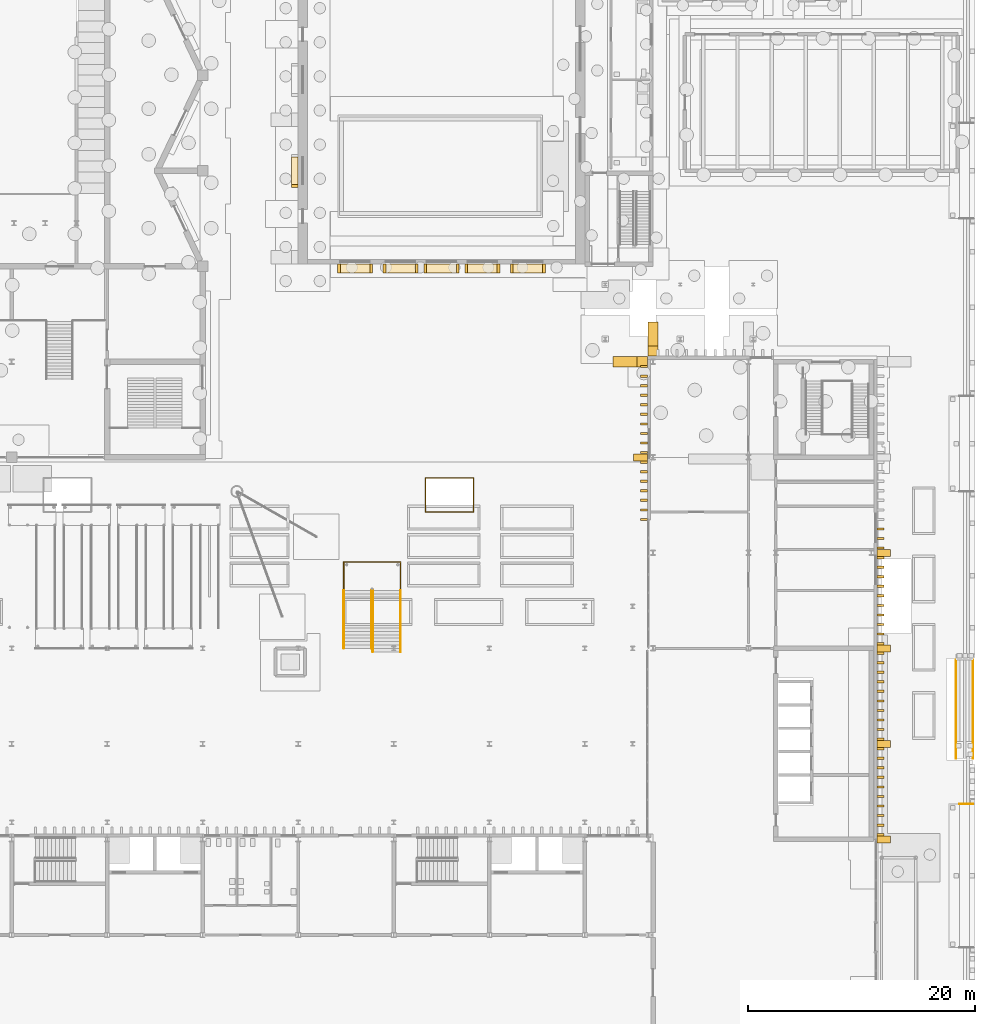
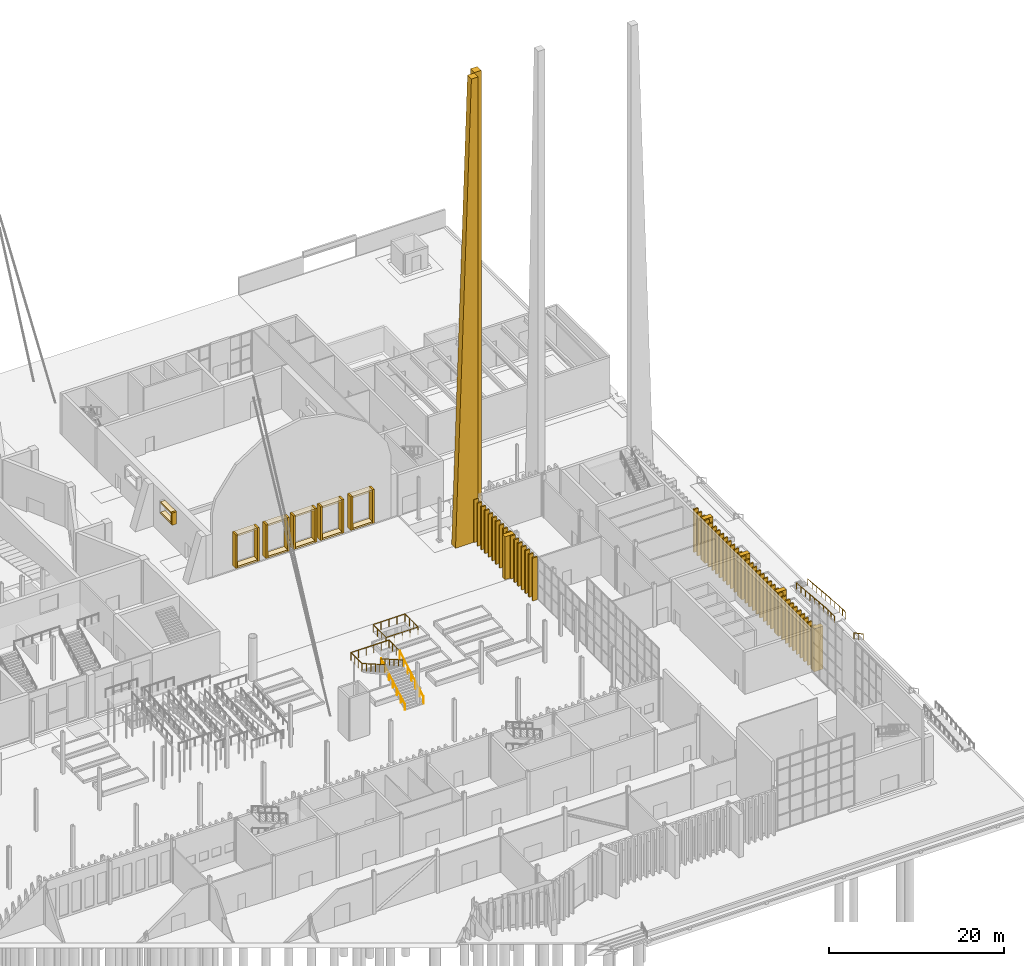
# One storey, part 101 of 108: 80 coverings, 9 railings.
"""IFC4 building model written with IfcOpenShell, lengths in metres."""

import ifcopenshell
import ifcopenshell.guid

model = None  # the IFC model being written
_history = None  # IfcOwnerHistory: only IFC2X3 demands one
_inside = {}  # id of a spatial element -> (the spatial element, [elements in it])
_under = {}  # id of a project, library or spatial element -> (it, [spatial elements below it])
_declared = {}  # id of a project -> (the project, [libraries it declares])
_typed = {}  # id of a type object -> (the type object, [elements of that type])
_made_of = {}  # id of a material, layer set ... -> (it, [elements and type objects made of it])


def new_model(schema):
    """Start an empty IFC model of exactly this schema.

    Asked for "IFC4X3", IfcOpenShell would pick the latest addendum, in which some entities
    have other attributes; the version numbers below select the first issue.
    IFC2X3 requires an IfcOwnerHistory on every rooted entity: one is made here for all.
    """
    global model, _history
    if schema == "IFC4X3":
        model = ifcopenshell.file(schema_version=(4, 3, 0, 0))
    else:
        model = ifcopenshell.file(schema=schema)
    _inside.clear()
    _under.clear()
    _declared.clear()
    _typed.clear()
    _made_of.clear()
    _history = None
    if model.schema == "IFC2X3":
        org = make("IfcOrganization", Name="unknown")
        user = make(
            "IfcPersonAndOrganization",
            ThePerson=make("IfcPerson", FamilyName="unknown"),
            TheOrganization=org,
        )
        app = make(
            "IfcApplication",
            ApplicationDeveloper=org,
            Version="unknown",
            ApplicationFullName="unknown",
            ApplicationIdentifier="unknown",
        )
        _history = make(
            "IfcOwnerHistory",
            OwningUser=user,
            OwningApplication=app,
            ChangeAction="ADDED",
            CreationDate=0,
        )
    return model


def make(cls, **values):
    """One entity of the class cls with the attributes given. An attribute that is None is left unset."""
    return model.create_entity(
        cls, **{name: value for name, value in values.items() if value is not None}
    )


def rooted(cls, **values):
    """An entity with a GlobalId (a new one), such as an element, a storey or a relation."""
    return make(cls, GlobalId=ifcopenshell.guid.new(), OwnerHistory=_history, **values)


def si_unit(unit_type, name, prefix=None):
    """IfcSIUnit, for example si_unit("LENGTHUNIT", "METRE", prefix="MILLI")."""
    return make("IfcSIUnit", UnitType=unit_type, Prefix=prefix, Name=name)


def assignment(units):
    """IfcUnitAssignment: the units of a project."""
    return None if units is None else make("IfcUnitAssignment", Units=units)


def point(xyz):
    """IfcCartesianPoint."""
    return None if xyz is None else make("IfcCartesianPoint", Coordinates=xyz)


def direction(xyz):
    """IfcDirection."""
    return None if xyz is None else make("IfcDirection", DirectionRatios=xyz)


def frame(location, z_axis=None, x_axis=None):
    """IfcAxis2Placement3D, a coordinate frame: its origin and axes. An axis left out is left unset."""
    return make(
        "IfcAxis2Placement3D",
        Location=point(location),
        Axis=direction(z_axis),
        RefDirection=direction(x_axis),
    )


def frame_2d(location, x_axis=None):
    """IfcAxis2Placement2D, a coordinate frame in the plane: its origin and x axis."""
    return make(
        "IfcAxis2Placement2D", Location=point(location), RefDirection=direction(x_axis)
    )


def origin():
    """The frame at (0, 0, 0) with its axes left unset."""
    return frame((0.0, 0.0, 0.0))


def origin_2d():
    """The frame at (0, 0) in the plane with its x axis left unset."""
    return frame_2d((0.0, 0.0))


def place(relative_to, where):
    """IfcLocalPlacement: puts the frame where relative to a parent placement (None: the world)."""
    return make(
        "IfcLocalPlacement", PlacementRelTo=relative_to, RelativePlacement=where
    )


def context(
    kind, dimensions, precision=None, world=None, true_north=None, identifier=None
):
    """IfcGeometricRepresentationContext, for example the 3D "Model" context."""
    return make(
        "IfcGeometricRepresentationContext",
        ContextIdentifier=identifier,
        ContextType=kind,
        CoordinateSpaceDimension=dimensions,
        Precision=precision,
        WorldCoordinateSystem=world,
        TrueNorth=true_north,
    )


def subcontext(parent, identifier, kind, view, scale=None):
    """IfcGeometricRepresentationSubContext, for example "Body" below "Model"."""
    return make(
        "IfcGeometricRepresentationSubContext",
        ContextIdentifier=identifier,
        ContextType=kind,
        ParentContext=parent,
        TargetScale=scale,
        TargetView=view,
    )


def project(units=None, contexts=None):
    """IfcProject with its units and contexts."""
    return rooted(
        "IfcProject",
        Name="project",
        RepresentationContexts=contexts,
        UnitsInContext=assignment(units),
    )


def spatial(cls, under=None, at=None, **own):
    """A site, building, storey or space (cls), placed at a placement, below another one or the project."""
    s = rooted(cls, ObjectPlacement=at, **own)
    if under is not None:
        _under.setdefault(under.id(), (under, []))[1].append(s)
    return s


def polyline(points):
    """IfcPolyline through the points."""
    return make("IfcPolyline", Points=[point(p) for p in points])


def profile(cls, at=None, kind="AREA", **sizes):
    """A parametric profile (cls). Its sizes go by their IFC names, for example OverallWidth=200.0."""
    return make(cls, ProfileType=kind, Position=at, **sizes)


def rectangle(**sizes):
    """IfcRectangleProfileDef."""
    return profile("IfcRectangleProfileDef", **sizes)


def circle(**sizes):
    """IfcCircleProfileDef."""
    return profile("IfcCircleProfileDef", **sizes)


def outline(outer, holes=None, kind="AREA"):
    """IfcArbitraryClosedProfileDef: a profile drawn as a closed curve; with holes, ...WithVoids."""
    if holes is None:
        return make("IfcArbitraryClosedProfileDef", ProfileType=kind, OuterCurve=outer)
    return make(
        "IfcArbitraryProfileDefWithVoids",
        ProfileType=kind,
        OuterCurve=outer,
        InnerCurves=holes,
    )


def extrude(swept, where, along, depth):
    """IfcExtrudedAreaSolid: the profile swept, set in the frame where, extruded along a direction by depth."""
    return make(
        "IfcExtrudedAreaSolid",
        SweptArea=swept,
        Position=where,
        ExtrudedDirection=direction(along),
        Depth=depth,
    )


def shape(context_of_items, identifier, shape_type, items):
    """IfcShapeRepresentation: the items that make up one representation, for example the "Body"."""
    return make(
        "IfcShapeRepresentation",
        ContextOfItems=context_of_items,
        RepresentationIdentifier=identifier,
        RepresentationType=shape_type,
        Items=items,
    )


def material(Name=None, Category=None):
    """IfcMaterial."""
    return make("IfcMaterial", Name=Name, Category=Category)


def made_of(thing, what):
    """Note that an element or type object is made of a material, layer set ...; save() writes the relation."""
    if what is not None:
        _made_of.setdefault(what.id(), (what, []))[1].append(thing)
    return thing


def type_object(cls, material=None, **own):
    """A type object (cls), such as IfcWallType, which elements share."""
    return made_of(rooted(cls, **own), material)


def element(
    cls,
    number,
    at=None,
    inside=None,
    cuts=None,
    type_object=None,
    material=None,
    context=None,
    identifier="Body",
    shape_type=None,
    held_by="IfcProductDefinitionShape",
    body=None,
    shapes=None,
    **own,
):
    """One element of the class cls, such as IfcWall. Its Tag is "e" and its number.

    at: its placement. inside: the storey or other place that contains it. cuts: it is an
    opening in that element (IfcRelVoidsElement). A single representation is given by context,
    identifier, shape_type and body (its items); several are given by shapes. held_by: the class
    of the entity that holds the representations. save() writes the other relations.
    """
    e = rooted(cls, Tag="e%d" % number, ObjectPlacement=at, **own)
    if body is not None:
        shapes = [shape(context, identifier, shape_type, body)]
    if shapes is not None:
        e.Representation = make(held_by, Representations=shapes)
    if inside is not None:
        _inside.setdefault(inside.id(), (inside, []))[1].append(e)
    if cuts is not None:
        rooted(
            "IfcRelVoidsElement", RelatingBuildingElement=cuts, RelatedOpeningElement=e
        )
    if type_object is not None:
        _typed.setdefault(type_object.id(), (type_object, []))[1].append(e)
    return made_of(e, material)


def aggregate(whole, parts):
    """IfcRelAggregates: a whole, such as a stair, and the parts it consists of."""
    return rooted("IfcRelAggregates", RelatingObject=whole, RelatedObjects=parts)


def save(model, path):
    """Write the relations noted so far, then the file.

    IfcRelAggregates (storeys below a building ...), IfcRelContainedInSpatialStructure (elements
    in a storey), IfcRelDefinesByType, IfcRelAssociatesMaterial and IfcRelDeclares: one each for
    every whole, place, type object, material and project.
    """
    for whole, parts in _under.values():
        aggregate(whole, parts)
    for where, things in _inside.values():
        rooted(
            "IfcRelContainedInSpatialStructure",
            RelatedElements=things,
            RelatingStructure=where,
        )
    for kind, things in _typed.values():
        rooted("IfcRelDefinesByType", RelatedObjects=things, RelatingType=kind)
    for what, things in _made_of.values():
        rooted("IfcRelAssociatesMaterial", RelatedObjects=things, RelatingMaterial=what)
    for by, libraries in _declared.values():
        rooted("IfcRelDeclares", RelatingContext=by, RelatedDefinitions=libraries)
    model.write(path)


model = new_model("IFC4")

# Units and contexts
model_context = context("Model", 3, precision=1e-05, world=origin(), true_north=direction((0.0, 1.0)))
body_context = subcontext(model_context, "Body", "Model", "MODEL_VIEW")
ifc_project = project(units=[si_unit("LENGTHUNIT", "METRE"), si_unit("AREAUNIT", "SQUARE_METRE"), si_unit("VOLUMEUNIT", "CUBIC_METRE"), si_unit("PLANEANGLEUNIT", "RADIAN"), si_unit("MASSUNIT", "GRAM", prefix="KILO")], contexts=[model_context])

# Site, building, storey
site_placement = place(None, origin())
site = spatial("IfcSite", under=ifc_project, at=site_placement, CompositionType="ELEMENT")
building_placement = place(site_placement, origin())
building = spatial("IfcBuilding", under=site, at=building_placement, Name="Cresset Court Congress Hotel", CompositionType="ELEMENT")
storey_placement = place(building_placement, origin())
storey = spatial("IfcBuildingStorey", under=building, at=storey_placement, Name="L00", CompositionType="ELEMENT", Elevation=0.0)

# Railings
ifc_material_1 = material(Name="Galvanised steel", Category="steel")
railing_type_1 = type_object("IfcRailingType", Name="Guard 1100 steel balusters", PredefinedType="GUARDRAIL", material=ifc_material_1)
railing_1_placement = place(storey_placement, frame((137.199951171875, 54.0, 0.0)))
element("IfcRailing", 1, at=railing_1_placement, inside=storey, type_object=railing_type_1, Name="Well guard 03", PredefinedType="GUARDRAIL", context=body_context, shape_type="SweptSolid", body=[
    extrude(circle(Radius=0.02490234375, at=origin_2d()), frame((0.0, 0.0, 1.0751953125), z_axis=(1.0, 0.0, 0.0), x_axis=(0.0, 1.0, 0.0)), (0.0, 0.0, 1.0), 4.199951171875),
    extrude(circle(Radius=0.02490234375, at=origin_2d()), frame((4.199951171875, 0.0, 1.0751953125), z_axis=(0.0, 1.0, 0.0), x_axis=(-1.0, 0.0, 0.0)), (0.0, 0.0, 1.0), 3.0),
    extrude(circle(Radius=0.02490234375, at=origin_2d()), frame((4.199951171875, 3.0, 1.0751953125), z_axis=(-1.0, 0.0, 0.0), x_axis=(0.0, -1.0, 0.0)), (0.0, 0.0, 1.0), 4.199951171875),
    extrude(circle(Radius=0.02490234375, at=origin_2d()), frame((0.0, 3.0, 1.0751953125), z_axis=(0.0, -1.0, 0.0), x_axis=(1.0, 0.0, 0.0)), (0.0, 0.0, 1.0), 2.93994140625),
    extrude(circle(Radius=0.02001953125, at=origin_2d()), origin(), (0.0, 0.0, 1.0), 1.050048828125),
    extrude(circle(Radius=0.02001953125, at=origin_2d()), frame((1.050048828125, 0.0, 0.0)), (0.0, 0.0, 1.0), 1.050048828125),
    extrude(circle(Radius=0.02001953125, at=origin_2d()), frame((2.10009765625, 0.0, 0.0)), (0.0, 0.0, 1.0), 1.050048828125),
    extrude(circle(Radius=0.02001953125, at=origin_2d()), frame((3.14990234375, 0.0, 0.0)), (0.0, 0.0, 1.0), 1.050048828125),
    extrude(circle(Radius=0.02001953125, at=origin_2d()), frame((4.199951171875, 0.0, 0.0)), (0.0, 0.0, 1.0), 1.050048828125),
    extrude(circle(Radius=0.02001953125, at=origin_2d()), frame((4.199951171875, 1.0, 0.0)), (0.0, 0.0, 1.0), 1.050048828125),
    extrude(circle(Radius=0.02001953125, at=origin_2d()), frame((4.199951171875, 2.0, 0.0)), (0.0, 0.0, 1.0), 1.050048828125),
    extrude(circle(Radius=0.02001953125, at=origin_2d()), frame((4.199951171875, 3.0, 0.0)), (0.0, 0.0, 1.0), 1.050048828125),
    extrude(circle(Radius=0.02001953125, at=origin_2d()), frame((3.14990234375, 3.0, 0.0)), (0.0, 0.0, 1.0), 1.050048828125),
    extrude(circle(Radius=0.02001953125, at=origin_2d()), frame((2.10009765625, 3.0, 0.0)), (0.0, 0.0, 1.0), 1.050048828125),
    extrude(circle(Radius=0.02001953125, at=origin_2d()), frame((1.050048828125, 3.0, 0.0)), (0.0, 0.0, 1.0), 1.050048828125),
    extrude(circle(Radius=0.02001953125, at=origin_2d()), frame((0.0, 3.0, 0.0)), (0.0, 0.0, 1.0), 1.050048828125),
    extrude(circle(Radius=0.02001953125, at=origin_2d()), frame((0.0, 2.02001953125, 0.0)), (0.0, 0.0, 1.0), 1.050048828125),
    extrude(circle(Radius=0.02001953125, at=origin_2d()), frame((0.0, 1.0400390625, 0.0)), (0.0, 0.0, 1.0), 1.050048828125),
    extrude(circle(Radius=0.02001953125, at=origin_2d()), frame((0.0, 0.06005859375, 0.0)), (0.0, 0.0, 1.0), 1.050048828125),
])
railing_2_placement = place(storey_placement, frame((130.0, 47.10009765625, 3.0810546875)))
element("IfcRailing", 2, at=railing_2_placement, inside=storey, type_object=railing_type_1, Name="Stair guard D03", PredefinedType="GUARDRAIL", context=body_context, shape_type="SweptSolid", body=[
    extrude(circle(Radius=0.02490234375, at=origin_2d()), frame((0.0, 0.0, 1.0751953125), z_axis=(0.0, 1.0, 0.0), x_axis=(-1.0, 0.0, 0.0)), (0.0, 0.0, 1.0), 2.5),
    extrude(circle(Radius=0.02490234375, at=origin_2d()), frame((0.0, 2.5, 1.0751953125), z_axis=(1.0, 0.0, 0.0), x_axis=(0.0, 1.0, 0.0)), (0.0, 0.0, 1.0), 5.0),
    extrude(circle(Radius=0.02490234375, at=origin_2d()), frame((5.0, 2.5, 1.0751953125), z_axis=(0.0, -1.0, 0.0), x_axis=(1.0, 0.0, 0.0)), (0.0, 0.0, 1.0), 2.5),
    extrude(circle(Radius=0.02001953125, at=origin_2d()), origin(), (0.0, 0.0, 1.0), 1.050048828125),
    extrude(circle(Radius=0.02001953125, at=origin_2d()), frame((0.0, 0.833251953125, 0.0)), (0.0, 0.0, 1.0), 1.050048828125),
    extrude(circle(Radius=0.02001953125, at=origin_2d()), frame((0.0, 1.666748046875, 0.0)), (0.0, 0.0, 1.0), 1.050048828125),
    extrude(circle(Radius=0.02001953125, at=origin_2d()), frame((0.0, 2.5, 0.0)), (0.0, 0.0, 1.0), 1.050048828125),
    extrude(circle(Radius=0.02001953125, at=origin_2d()), frame((1.0, 2.5, 0.0)), (0.0, 0.0, 1.0), 1.050048828125),
    extrude(circle(Radius=0.02001953125, at=origin_2d()), frame((2.0, 2.5, 0.0)), (0.0, 0.0, 1.0), 1.050048828125),
    extrude(circle(Radius=0.02001953125, at=origin_2d()), frame((3.0, 2.5, 0.0)), (0.0, 0.0, 1.0), 1.050048828125),
    extrude(circle(Radius=0.02001953125, at=origin_2d()), frame((4.0, 2.5, 0.0)), (0.0, 0.0, 1.0), 1.050048828125),
    extrude(circle(Radius=0.02001953125, at=origin_2d()), frame((5.0, 2.5, 0.0)), (0.0, 0.0, 1.0), 1.050048828125),
    extrude(circle(Radius=0.02001953125, at=origin_2d()), frame((5.0, 1.666748046875, 0.0)), (0.0, 0.0, 1.0), 1.050048828125),
    extrude(circle(Radius=0.02001953125, at=origin_2d()), frame((5.0, 0.833251953125, 0.0)), (0.0, 0.0, 1.0), 1.050048828125),
    extrude(circle(Radius=0.02001953125, at=origin_2d()), frame((5.0, 0.0, 0.0)), (0.0, 0.0, 1.0), 1.050048828125),
])
railing_3_placement = place(storey_placement, frame((130.0, 42.0, 6.0)))
element("IfcRailing", 3, at=railing_3_placement, inside=storey, type_object=railing_type_1, Name="Stair side guard D03A", PredefinedType="GUARDRAIL", context=body_context, shape_type="SweptSolid", body=[
    extrude(circle(Radius=0.02490234375, at=origin_2d()), frame((0.0, 0.0, 1.0751953125), z_axis=(0.0, 0.867905456201, -0.496729422419), x_axis=(-1.0, 0.0, 0.0)), (0.0, 0.0, 1.0), 5.876220703125),
    extrude(circle(Radius=0.02001953125, at=origin_2d()), origin(), (0.0, 0.0, 1.0), 1.050048828125),
    extrude(circle(Radius=0.02001953125, at=origin_2d()), frame((0.0, 1.02001953125, -0.583740234375)), (0.0, 0.0, 1.0), 1.050048828125),
    extrude(circle(Radius=0.02001953125, at=origin_2d()), frame((0.0, 2.0400390625, -1.16748046875)), (0.0, 0.0, 1.0), 1.050048828125),
    extrude(circle(Radius=0.02001953125, at=origin_2d()), frame((0.0, 3.06005859375, -1.75146484375)), (0.0, 0.0, 1.0), 1.050048828125),
    extrude(circle(Radius=0.02001953125, at=origin_2d()), frame((0.0, 4.080078125, -2.335205078125)), (0.0, 0.0, 1.0), 1.050048828125),
    extrude(circle(Radius=0.02001953125, at=origin_2d()), frame((0.0, 5.10009765625, -2.9189453125)), (0.0, 0.0, 1.0), 1.050048828125),
])
railing_4_placement = place(storey_placement, frame((135.0, 47.10009765625, 3.0810546875)))
element("IfcRailing", 4, at=railing_4_placement, inside=storey, type_object=railing_type_1, Name="Stair side guard D03B", PredefinedType="GUARDRAIL", context=body_context, shape_type="SweptSolid", body=[
    extrude(circle(Radius=0.02490234375, at=origin_2d()), frame((0.0, 0.0, 1.0751953125), z_axis=(0.0, -0.868571595618, -0.49556370255), x_axis=(1.0, 0.0, 0.0)), (0.0, 0.0, 1.0), 6.21728515625),
    extrude(circle(Radius=0.02001953125, at=origin_2d()), origin(), (0.0, 0.0, 1.0), 1.050048828125),
    extrude(circle(Radius=0.02001953125, at=origin_2d()), frame((0.0, -0.89990234375, -0.513427734375)), (0.0, 0.0, 1.0), 1.050048828125),
    extrude(circle(Radius=0.02001953125, at=origin_2d()), frame((0.0, -1.800048828125, -1.027099609375)), (0.0, 0.0, 1.0), 1.050048828125),
    extrude(circle(Radius=0.02001953125, at=origin_2d()), frame((0.0, -2.7001953125, -1.54052734375)), (0.0, 0.0, 1.0), 1.050048828125),
    extrude(circle(Radius=0.02001953125, at=origin_2d()), frame((0.0, -3.60009765625, -2.053955078125)), (0.0, 0.0, 1.0), 1.050048828125),
    extrude(circle(Radius=0.02001953125, at=origin_2d()), frame((0.0, -4.5, -2.567626953125)), (0.0, 0.0, 1.0), 1.050048828125),
    extrude(circle(Radius=0.02001953125, at=origin_2d()), frame((0.0, -5.400146484375, -3.0810546875)), (0.0, 0.0, 1.0), 1.050048828125),
])
ifc_material_2 = material(Name="Stainless steel", Category="steel")
railing_type_2 = type_object("IfcRailingType", Name="Handrail 900 steel", PredefinedType="HANDRAIL", material=ifc_material_2)
railing_5_placement = place(storey_placement, frame((185.35009765625, 28.300048828125, -0.60009765625)))
element("IfcRailing", 5, at=railing_5_placement, inside=storey, type_object=railing_type_2, Name="Handrail E01R", PredefinedType="HANDRAIL", context=body_context, shape_type="SweptSolid", body=[
    extrude(circle(Radius=0.02490234375, at=origin_2d()), frame((0.0, 0.0, 0.875), z_axis=(-0.894427191, 0.0, 0.4472135955), x_axis=(0.0, -1.0, 0.0)), (0.0, 0.0, 1.0), 1.341796875),
    extrude(circle(Radius=0.02001953125, at=origin_2d()), origin(), (0.0, 0.0, 1.0), 0.849853515625),
    extrude(circle(Radius=0.02001953125, at=origin_2d()), frame((-0.60009765625, 0.0, 0.300048828125)), (0.0, 0.0, 1.0), 0.849853515625),
    extrude(circle(Radius=0.02001953125, at=origin_2d()), frame((-1.2001953125, 0.0, 0.60009765625)), (0.0, 0.0, 1.0), 0.849853515625),
])
for number, where, name in (
    (6, (185.35009765625, 41.0, -0.60009765625), "Ramp handrail E02L"),
    (7, (183.85009765625, 41.0, -0.60009765625), "Ramp handrail E02R"),
):
    element("IfcRailing", number, at=place(storey_placement, frame(where)), inside=storey, type_object=railing_type_2, Name=name, PredefinedType="HANDRAIL", context=body_context, shape_type="SweptSolid", body=[
        extrude(circle(Radius=0.02490234375, at=origin_2d()), frame((0.0, 0.0, 0.875), z_axis=(0.0, -0.996544592923, 0.083059462528), x_axis=(1.0, 0.0, 0.0)), (0.0, 0.0, 1.0), 7.224853515625),
        extrude(circle(Radius=0.02490234375, at=origin_2d()), frame((0.0, -7.199951171875, 1.47509765625), z_axis=(0.0, -1.0, 0.0), x_axis=(1.0, 0.0, 0.0)), (0.0, 0.0, 1.0), 1.5),
        extrude(circle(Radius=0.02001953125, at=origin_2d()), origin(), (0.0, 0.0, 1.0), 0.849853515625),
        extrude(circle(Radius=0.02001953125, at=origin_2d()), frame((0.0, -1.028564453125, 0.085693359375)), (0.0, 0.0, 1.0), 0.849853515625),
        extrude(circle(Radius=0.02001953125, at=origin_2d()), frame((0.0, -2.05712890625, 0.17138671875)), (0.0, 0.0, 1.0), 0.849853515625),
        extrude(circle(Radius=0.02001953125, at=origin_2d()), frame((0.0, -3.085693359375, 0.257080078125)), (0.0, 0.0, 1.0), 0.849853515625),
        extrude(circle(Radius=0.02001953125, at=origin_2d()), frame((0.0, -4.1142578125, 0.343017578125)), (0.0, 0.0, 1.0), 0.849853515625),
        extrude(circle(Radius=0.02001953125, at=origin_2d()), frame((0.0, -5.142822265625, 0.4287109375)), (0.0, 0.0, 1.0), 0.849853515625),
        extrude(circle(Radius=0.02001953125, at=origin_2d()), frame((0.0, -6.17138671875, 0.514404296875)), (0.0, 0.0, 1.0), 0.849853515625),
        extrude(circle(Radius=0.02001953125, at=origin_2d()), frame((0.0, -7.199951171875, 0.60009765625)), (0.0, 0.0, 1.0), 0.849853515625),
        extrude(circle(Radius=0.02001953125, at=origin_2d()), frame((0.0, -7.949951171875, 0.60009765625)), (0.0, 0.0, 1.0), 0.849853515625),
        extrude(circle(Radius=0.02001953125, at=origin_2d()), frame((0.0, -8.699951171875, 0.60009765625)), (0.0, 0.0, 1.0), 0.849853515625),
    ])
railing_6_placement = place(storey_placement, frame((132.449951171875, 47.10009765625, 3.0810546875)))
element("IfcRailing", 8, at=railing_6_placement, inside=storey, type_object=railing_type_2, Name="Stair handrail D03A", PredefinedType="HANDRAIL", context=body_context, shape_type="SweptSolid", body=[
    extrude(circle(Radius=0.02490234375, at=origin_2d()), frame((0.0, 0.0, 0.875), z_axis=(0.0, -0.867905456201, 0.496729422419), x_axis=(1.0, 0.0, 0.0)), (0.0, 0.0, 1.0), 5.876220703125),
    extrude(circle(Radius=0.02001953125, at=origin_2d()), origin(), (0.0, 0.0, 1.0), 0.849853515625),
    extrude(circle(Radius=0.02001953125, at=origin_2d()), frame((0.0, -1.02001953125, 0.583740234375)), (0.0, 0.0, 1.0), 0.849853515625),
    extrude(circle(Radius=0.02001953125, at=origin_2d()), frame((0.0, -2.0400390625, 1.16748046875)), (0.0, 0.0, 1.0), 0.849853515625),
    extrude(circle(Radius=0.02001953125, at=origin_2d()), frame((0.0, -3.06005859375, 1.75146484375)), (0.0, 0.0, 1.0), 0.849853515625),
    extrude(circle(Radius=0.02001953125, at=origin_2d()), frame((0.0, -4.080078125, 2.335205078125)), (0.0, 0.0, 1.0), 0.849853515625),
    extrude(circle(Radius=0.02001953125, at=origin_2d()), frame((0.0, -5.10009765625, 2.9189453125)), (0.0, 0.0, 1.0), 0.849853515625),
])
railing_7_placement = place(storey_placement, frame((132.550048828125, 47.10009765625, 3.0810546875)))
element("IfcRailing", 9, at=railing_7_placement, inside=storey, type_object=railing_type_2, Name="Stair handrail D03B", PredefinedType="HANDRAIL", context=body_context, shape_type="SweptSolid", body=[
    extrude(circle(Radius=0.02490234375, at=origin_2d()), frame((0.0, 0.0, 0.875), z_axis=(0.0, -0.868571595618, -0.49556370255), x_axis=(1.0, 0.0, 0.0)), (0.0, 0.0, 1.0), 6.21728515625),
    extrude(circle(Radius=0.02001953125, at=origin_2d()), origin(), (0.0, 0.0, 1.0), 0.849853515625),
    extrude(circle(Radius=0.02001953125, at=origin_2d()), frame((0.0, -0.89990234375, -0.513427734375)), (0.0, 0.0, 1.0), 0.849853515625),
    extrude(circle(Radius=0.02001953125, at=origin_2d()), frame((0.0, -1.800048828125, -1.027099609375)), (0.0, 0.0, 1.0), 0.849853515625),
    extrude(circle(Radius=0.02001953125, at=origin_2d()), frame((0.0, -2.7001953125, -1.54052734375)), (0.0, 0.0, 1.0), 0.849853515625),
    extrude(circle(Radius=0.02001953125, at=origin_2d()), frame((0.0, -3.60009765625, -2.053955078125)), (0.0, 0.0, 1.0), 0.849853515625),
    extrude(circle(Radius=0.02001953125, at=origin_2d()), frame((0.0, -4.5, -2.567626953125)), (0.0, 0.0, 1.0), 0.849853515625),
    extrude(circle(Radius=0.02001953125, at=origin_2d()), frame((0.0, -5.400146484375, -3.0810546875)), (0.0, 0.0, 1.0), 0.849853515625),
])

# Coverings
ifc_material_3 = material(Name="Precast concrete C50", Category="concrete")
covering_type_1 = type_object("IfcCoveringType", Name="Precast gable reveal frame member 250x800", PredefinedType="CLADDING", material=ifc_material_3)
for number, where, z_axis, x_axis, name in (
    (10, (129.574951171875, 75.39990234375, 0.64990234375), (0.0, 0.0, 1.0), (1.0, 0.0, 0.0), "Reveal frame win.L00.01a"),
    (11, (132.425048828125, 75.39990234375, 0.64990234375), (0.0, 0.0, 1.0), (1.0, 0.0, 0.0), "Reveal frame win.L00.01b"),
):
    element("IfcCovering", number, at=place(storey_placement, frame(where, z_axis=z_axis, x_axis=x_axis)), inside=storey, type_object=covering_type_1, Name=name, PredefinedType="CLADDING", context=body_context, shape_type="SweptSolid", body=[
        extrude(rectangle(XDim=0.25, YDim=0.800048828125, at=origin_2d()), origin(), (0.0, 0.0, 1.0), 4.699951171875),
    ])
for number, where, z_axis, x_axis, name in (
    (12, (131.0, 75.39990234375, 5.10009765625), (0.0, 0.0, 1.0), (1.0, 0.0, 0.0), "Reveal frame win.L00.01c"),
    (13, (131.0, 75.39990234375, 0.64990234375), (0.0, 0.0, 1.0), (1.0, 0.0, 0.0), "Reveal frame win.L00.01d"),
):
    element("IfcCovering", number, at=place(storey_placement, frame(where, z_axis=z_axis, x_axis=x_axis)), inside=storey, type_object=covering_type_1, Name=name, PredefinedType="CLADDING", context=body_context, shape_type="SweptSolid", body=[
        extrude(rectangle(XDim=2.60009765625, YDim=0.800048828125, at=origin_2d()), origin(), (0.0, 0.0, 1.0), 0.25),
    ])
for number, where, z_axis, x_axis, name in (
    (14, (133.574951171875, 75.39990234375, 0.64990234375), (0.0, 0.0, 1.0), (1.0, 0.0, 0.0), "Reveal frame win.L00.02a"),
    (15, (136.425048828125, 75.39990234375, 0.64990234375), (0.0, 0.0, 1.0), (1.0, 0.0, 0.0), "Reveal frame win.L00.02b"),
):
    element("IfcCovering", number, at=place(storey_placement, frame(where, z_axis=z_axis, x_axis=x_axis)), inside=storey, type_object=covering_type_1, Name=name, PredefinedType="CLADDING", context=body_context, shape_type="SweptSolid", body=[
        extrude(rectangle(XDim=0.25, YDim=0.800048828125, at=origin_2d()), origin(), (0.0, 0.0, 1.0), 4.699951171875),
    ])
for number, where, z_axis, x_axis, name in (
    (16, (135.0, 75.39990234375, 5.10009765625), (0.0, 0.0, 1.0), (1.0, 0.0, 0.0), "Reveal frame win.L00.02c"),
    (17, (135.0, 75.39990234375, 0.64990234375), (0.0, 0.0, 1.0), (1.0, 0.0, 0.0), "Reveal frame win.L00.02d"),
):
    element("IfcCovering", number, at=place(storey_placement, frame(where, z_axis=z_axis, x_axis=x_axis)), inside=storey, type_object=covering_type_1, Name=name, PredefinedType="CLADDING", context=body_context, shape_type="SweptSolid", body=[
        extrude(rectangle(XDim=2.60009765625, YDim=0.800048828125, at=origin_2d()), origin(), (0.0, 0.0, 1.0), 0.25),
    ])
for number, where, z_axis, x_axis, name in (
    (18, (137.175048828125, 75.39990234375, 0.64990234375), (0.0, 0.0, 1.0), (1.0, 0.0, 0.0), "Reveal frame win.L00.03a"),
    (19, (140.02490234375, 75.39990234375, 0.64990234375), (0.0, 0.0, 1.0), (1.0, 0.0, 0.0), "Reveal frame win.L00.03b"),
):
    element("IfcCovering", number, at=place(storey_placement, frame(where, z_axis=z_axis, x_axis=x_axis)), inside=storey, type_object=covering_type_1, Name=name, PredefinedType="CLADDING", context=body_context, shape_type="SweptSolid", body=[
        extrude(rectangle(XDim=0.25, YDim=0.800048828125, at=origin_2d()), origin(), (0.0, 0.0, 1.0), 4.699951171875),
    ])
for number, where, z_axis, x_axis, name in (
    (20, (138.60009765625, 75.39990234375, 5.10009765625), (0.0, 0.0, 1.0), (1.0, 0.0, 0.0), "Reveal frame win.L00.03c"),
    (21, (138.60009765625, 75.39990234375, 0.64990234375), (0.0, 0.0, 1.0), (1.0, 0.0, 0.0), "Reveal frame win.L00.03d"),
):
    element("IfcCovering", number, at=place(storey_placement, frame(where, z_axis=z_axis, x_axis=x_axis)), inside=storey, type_object=covering_type_1, Name=name, PredefinedType="CLADDING", context=body_context, shape_type="SweptSolid", body=[
        extrude(rectangle(XDim=2.60009765625, YDim=0.800048828125, at=origin_2d()), origin(), (0.0, 0.0, 1.0), 0.25),
    ])
for number, where, z_axis, x_axis, name in (
    (22, (140.77490234375, 75.39990234375, 0.64990234375), (0.0, 0.0, 1.0), (1.0, 0.0, 0.0), "Reveal frame win.L00.04a"),
    (23, (143.625, 75.39990234375, 0.64990234375), (0.0, 0.0, 1.0), (1.0, 0.0, 0.0), "Reveal frame win.L00.04b"),
):
    element("IfcCovering", number, at=place(storey_placement, frame(where, z_axis=z_axis, x_axis=x_axis)), inside=storey, type_object=covering_type_1, Name=name, PredefinedType="CLADDING", context=body_context, shape_type="SweptSolid", body=[
        extrude(rectangle(XDim=0.25, YDim=0.800048828125, at=origin_2d()), origin(), (0.0, 0.0, 1.0), 4.699951171875),
    ])
for number, where, z_axis, x_axis, name in (
    (24, (142.199951171875, 75.39990234375, 5.10009765625), (0.0, 0.0, 1.0), (1.0, 0.0, 0.0), "Reveal frame win.L00.04c"),
    (25, (142.199951171875, 75.39990234375, 0.64990234375), (0.0, 0.0, 1.0), (1.0, 0.0, 0.0), "Reveal frame win.L00.04d"),
):
    element("IfcCovering", number, at=place(storey_placement, frame(where, z_axis=z_axis, x_axis=x_axis)), inside=storey, type_object=covering_type_1, Name=name, PredefinedType="CLADDING", context=body_context, shape_type="SweptSolid", body=[
        extrude(rectangle(XDim=2.60009765625, YDim=0.800048828125, at=origin_2d()), origin(), (0.0, 0.0, 1.0), 0.25),
    ])
for number, where, z_axis, x_axis, name in (
    (26, (144.77490234375, 75.39990234375, 0.64990234375), (0.0, 0.0, 1.0), (1.0, 0.0, 0.0), "Reveal frame win.L00.05a"),
    (27, (147.625, 75.39990234375, 0.64990234375), (0.0, 0.0, 1.0), (1.0, 0.0, 0.0), "Reveal frame win.L00.05b"),
):
    element("IfcCovering", number, at=place(storey_placement, frame(where, z_axis=z_axis, x_axis=x_axis)), inside=storey, type_object=covering_type_1, Name=name, PredefinedType="CLADDING", context=body_context, shape_type="SweptSolid", body=[
        extrude(rectangle(XDim=0.25, YDim=0.800048828125, at=origin_2d()), origin(), (0.0, 0.0, 1.0), 4.699951171875),
    ])
for number, where, z_axis, x_axis, name in (
    (28, (146.199951171875, 75.39990234375, 5.10009765625), (0.0, 0.0, 1.0), (1.0, 0.0, 0.0), "Reveal frame win.L00.05c"),
    (29, (146.199951171875, 75.39990234375, 0.64990234375), (0.0, 0.0, 1.0), (1.0, 0.0, 0.0), "Reveal frame win.L00.05d"),
):
    element("IfcCovering", number, at=place(storey_placement, frame(where, z_axis=z_axis, x_axis=x_axis)), inside=storey, type_object=covering_type_1, Name=name, PredefinedType="CLADDING", context=body_context, shape_type="SweptSolid", body=[
        extrude(rectangle(XDim=2.60009765625, YDim=0.800048828125, at=origin_2d()), origin(), (0.0, 0.0, 1.0), 0.25),
    ])
ifc_material_4 = material(Name="Precast concrete C50", Category="concrete")
covering_type_2 = type_object("IfcCoveringType", Name="Precast reveal frame member 250x600", PredefinedType="CLADDING", material=ifc_material_4)
covering_1_placement = place(storey_placement, frame((125.699951171875, 82.675048828125, 3.5498046875), z_axis=(0.0, 0.0, 1.0), x_axis=(0.0, 1.0, 0.0)))
element("IfcCovering", 30, at=covering_1_placement, inside=storey, type_object=covering_type_2, Name="Reveal frame win.L00.06a", PredefinedType="CLADDING", context=body_context, shape_type="SweptSolid", body=[
    extrude(rectangle(XDim=0.25, YDim=0.60009765625, at=origin_2d()), origin(), (0.0, 0.0, 1.0), 1.699951171875),
])
for number, where, z_axis, x_axis, name in (
    (31, (125.699951171875, 84.0, 5.0), (0.0, 0.0, 1.0), (0.0, 1.0, 0.0), "Reveal frame win.L00.06c"),
    (32, (125.699951171875, 84.0, 3.550048828125), (0.0, 0.0, 1.0), (0.0, 1.0, 0.0), "Reveal frame win.L00.06d"),
):
    element("IfcCovering", number, at=place(storey_placement, frame(where, z_axis=z_axis, x_axis=x_axis)), inside=storey, type_object=covering_type_2, Name=name, PredefinedType="CLADDING", context=body_context, shape_type="SweptSolid", body=[
        extrude(rectangle(XDim=2.39990234375, YDim=0.60009765625, at=origin_2d()), origin(), (0.0, 0.0, 1.0), 0.25),
    ])
ifc_material_5 = material(Name="Precast concrete C50", Category="concrete")
covering_type_3 = type_object("IfcCoveringType", Name="Precast stone fin 200x600", PredefinedType="CLADDING", material=ifc_material_5)
for number, where, z_axis, x_axis, name in (
    (33, (177.199951171875, 25.6201171875, 0.0), (0.0, 0.0, 1.0), (1.0, 0.0, 0.0), "Fin E031"),
    (34, (177.199951171875, 26.4599609375, 0.0), (0.0, 0.0, 1.0), (1.0, 0.0, 0.0), "Fin E032"),
    (35, (177.199951171875, 27.300048828125, 0.0), (0.0, 0.0, 1.0), (1.0, 0.0, 0.0), "Fin E033"),
    (36, (177.199951171875, 28.139892578125, 0.0), (0.0, 0.0, 1.0), (1.0, 0.0, 0.0), "Fin E034"),
    (37, (177.199951171875, 28.97998046875, 0.0), (0.0, 0.0, 1.0), (1.0, 0.0, 0.0), "Fin E035"),
    (38, (177.199951171875, 29.820068359375, 0.0), (0.0, 0.0, 1.0), (1.0, 0.0, 0.0), "Fin E036"),
    (39, (177.199951171875, 30.659912109375, 0.0), (0.0, 0.0, 1.0), (1.0, 0.0, 0.0), "Fin E037"),
    (40, (177.199951171875, 31.5, 0.0), (0.0, 0.0, 1.0), (1.0, 0.0, 0.0), "Fin E038"),
    (41, (177.199951171875, 32.340087890625, 0.0), (0.0, 0.0, 1.0), (1.0, 0.0, 0.0), "Fin E039"),
    (42, (177.199951171875, 33.179931640625, 0.0), (0.0, 0.0, 1.0), (1.0, 0.0, 0.0), "Fin E040"),
    (43, (177.199951171875, 34.02001953125, 0.0), (0.0, 0.0, 1.0), (1.0, 0.0, 0.0), "Fin E041"),
    (44, (177.199951171875, 34.860107421875, 0.0), (0.0, 0.0, 1.0), (1.0, 0.0, 0.0), "Fin E042"),
    (45, (177.199951171875, 35.699951171875, 0.0), (0.0, 0.0, 1.0), (1.0, 0.0, 0.0), "Fin E043"),
    (46, (177.199951171875, 36.5400390625, 0.0), (0.0, 0.0, 1.0), (1.0, 0.0, 0.0), "Fin E044"),
    (47, (177.199951171875, 37.3798828125, 0.0), (0.0, 0.0, 1.0), (1.0, 0.0, 0.0), "Fin E045"),
    (48, (177.199951171875, 38.219970703125, 0.0), (0.0, 0.0, 1.0), (1.0, 0.0, 0.0), "Fin E046"),
    (49, (177.199951171875, 39.06005859375, 0.0), (0.0, 0.0, 1.0), (1.0, 0.0, 0.0), "Fin E047"),
    (50, (177.199951171875, 39.89990234375, 0.0), (0.0, 0.0, 1.0), (1.0, 0.0, 0.0), "Fin E048"),
    (51, (177.199951171875, 40.739990234375, 0.0), (0.0, 0.0, 1.0), (1.0, 0.0, 0.0), "Fin E049"),
    (52, (177.199951171875, 41.580078125, 0.0), (0.0, 0.0, 1.0), (1.0, 0.0, 0.0), "Fin E050"),
    (53, (177.199951171875, 42.419921875, 0.0), (0.0, 0.0, 1.0), (1.0, 0.0, 0.0), "Fin E051"),
    (54, (177.199951171875, 43.260009765625, 0.0), (0.0, 0.0, 1.0), (1.0, 0.0, 0.0), "Fin E052"),
    (55, (177.199951171875, 44.10009765625, 0.0), (0.0, 0.0, 1.0), (1.0, 0.0, 0.0), "Fin E053"),
    (56, (177.199951171875, 44.93994140625, 0.0), (0.0, 0.0, 1.0), (1.0, 0.0, 0.0), "Fin E054"),
    (57, (177.199951171875, 45.780029296875, 0.0), (0.0, 0.0, 1.0), (1.0, 0.0, 0.0), "Fin E055"),
    (58, (177.199951171875, 46.6201171875, 0.0), (0.0, 0.0, 1.0), (1.0, 0.0, 0.0), "Fin E056"),
    (59, (177.199951171875, 47.4599609375, 0.0), (0.0, 0.0, 1.0), (1.0, 0.0, 0.0), "Fin E057"),
    (60, (177.199951171875, 48.300048828125, 0.0), (0.0, 0.0, 1.0), (1.0, 0.0, 0.0), "Fin E058"),
    (61, (177.199951171875, 49.139892578125, 0.0), (0.0, 0.0, 1.0), (1.0, 0.0, 0.0), "Fin E059"),
    (62, (177.199951171875, 49.97998046875, 0.0), (0.0, 0.0, 1.0), (1.0, 0.0, 0.0), "Fin E060"),
    (63, (177.199951171875, 50.820068359375, 0.0), (0.0, 0.0, 1.0), (1.0, 0.0, 0.0), "Fin E061"),
    (64, (177.199951171875, 51.659912109375, 0.0), (0.0, 0.0, 1.0), (1.0, 0.0, 0.0), "Fin E062"),
    (65, (177.199951171875, 52.5, 0.0), (0.0, 0.0, 1.0), (1.0, 0.0, 0.0), "Fin E063"),
    (66, (156.39990234375, 53.340087890625, 0.0), (0.0, 0.0, 1.0), (1.0, 0.0, 0.0), "Fin W064"),
    (67, (156.39990234375, 54.179931640625, 0.0), (0.0, 0.0, 1.0), (1.0, 0.0, 0.0), "Fin W065"),
    (68, (156.39990234375, 55.02001953125, 0.0), (0.0, 0.0, 1.0), (1.0, 0.0, 0.0), "Fin W066"),
    (69, (156.39990234375, 55.860107421875, 0.0), (0.0, 0.0, 1.0), (1.0, 0.0, 0.0), "Fin W067"),
    (70, (156.39990234375, 56.699951171875, 0.0), (0.0, 0.0, 1.0), (1.0, 0.0, 0.0), "Fin W068"),
    (71, (156.39990234375, 57.5400390625, 0.0), (0.0, 0.0, 1.0), (1.0, 0.0, 0.0), "Fin W069"),
    (72, (156.39990234375, 58.3798828125, 0.0), (0.0, 0.0, 1.0), (1.0, 0.0, 0.0), "Fin W070"),
    (73, (156.39990234375, 59.219970703125, 0.0), (0.0, 0.0, 1.0), (1.0, 0.0, 0.0), "Fin W071"),
    (74, (156.39990234375, 60.06005859375, 0.0), (0.0, 0.0, 1.0), (1.0, 0.0, 0.0), "Fin W072"),
    (75, (156.39990234375, 60.89990234375, 0.0), (0.0, 0.0, 1.0), (1.0, 0.0, 0.0), "Fin W073"),
    (76, (156.39990234375, 61.739990234375, 0.0), (0.0, 0.0, 1.0), (1.0, 0.0, 0.0), "Fin W074"),
    (77, (156.39990234375, 62.580078125, 0.0), (0.0, 0.0, 1.0), (1.0, 0.0, 0.0), "Fin W075"),
    (78, (156.39990234375, 63.419921875, 0.0), (0.0, 0.0, 1.0), (1.0, 0.0, 0.0), "Fin W076"),
    (79, (156.39990234375, 64.260009765625, 0.0), (0.0, 0.0, 1.0), (1.0, 0.0, 0.0), "Fin W077"),
    (80, (156.39990234375, 65.10009765625, 0.0), (0.0, 0.0, 1.0), (1.0, 0.0, 0.0), "Fin W078"),
    (81, (156.39990234375, 65.93994140625, 0.0), (0.0, 0.0, 1.0), (1.0, 0.0, 0.0), "Fin W079"),
    (82, (156.39990234375, 66.780029296875, 0.0), (0.0, 0.0, 1.0), (1.0, 0.0, 0.0), "Fin W080"),
):
    element("IfcCovering", number, at=place(storey_placement, frame(where, z_axis=z_axis, x_axis=x_axis)), inside=storey, type_object=covering_type_3, Name=name, PredefinedType="CLADDING", context=body_context, shape_type="SweptSolid", body=[
        extrude(rectangle(XDim=0.60009765625, YDim=0.199951171875, at=origin_2d()), origin(), (0.0, 0.0, 1.0), 6.0),
    ])
ifc_material_6 = material(Name="Precast concrete C50", Category="concrete")
covering_type_4 = type_object("IfcCoveringType", Name="Precast stone pier 600x1200", PredefinedType="CLADDING", material=ifc_material_6)
for number, where, z_axis, x_axis, name in (
    (83, (177.5, 25.199951171875, 0.0), (0.0, 0.0, 1.0), (1.0, 0.0, 0.0), "Pier E03"),
    (84, (177.5, 33.60009765625, 0.0), (0.0, 0.0, 1.0), (1.0, 0.0, 0.0), "Pier E04"),
    (85, (177.5, 42.0, 0.0), (0.0, 0.0, 1.0), (1.0, 0.0, 0.0), "Pier E05"),
    (86, (177.5, 50.39990234375, 0.0), (0.0, 0.0, 1.0), (1.0, 0.0, 0.0), "Pier E06"),
    (87, (156.10009765625, 58.800048828125, 0.0), (0.0, 0.0, 1.0), (1.0, 0.0, 0.0), "Pier W08"),
):
    element("IfcCovering", number, at=place(storey_placement, frame(where, z_axis=z_axis, x_axis=x_axis)), inside=storey, type_object=covering_type_4, Name=name, PredefinedType="CLADDING", context=body_context, shape_type="SweptSolid", body=[
        extrude(rectangle(XDim=1.199951171875, YDim=0.60009765625, at=origin_2d()), origin(), (0.0, 0.0, 1.0), 6.0),
    ])
ifc_material_7 = material(Name="Precast concrete C50", Category="concrete")
covering_type_5 = type_object("IfcCoveringType", Name="Raked stone pier 900", PredefinedType="CLADDING", material=ifc_material_7)
covering_2_placement = place(storey_placement, frame((0.0, 67.199951171875, 0.0)))
element("IfcCovering", 88, at=covering_2_placement, inside=storey, type_object=covering_type_5, Name="Raked pier W09", PredefinedType="CLADDING", context=body_context, shape_type="SweptSolid", body=[
    extrude(outline(polyline([(156.699951171875, 64.800048828125), (155.800048828125, 64.800048828125), (153.699951171875, 0.0), (156.699951171875, 0.0), (156.699951171875, 64.800048828125)])), frame((0.0, 0.449951171875, 0.0), z_axis=(0.0, -1.0, 0.0), x_axis=(1.0, 0.0, 0.0)), (0.0, 0.0, 1.0), 0.89990234375),
])
covering_3_placement = place(storey_placement, frame((157.64990234375, 67.699951171875, 0.0), z_axis=(1.0, 0.0, 0.0), x_axis=(0.0, 1.0, 0.0)))
element("IfcCovering", 89, at=covering_3_placement, inside=storey, type_object=covering_type_5, Name="Raked pier N01", PredefinedType="CLADDING", context=body_context, shape_type="SweptSolid", body=[
    extrude(outline(polyline([(0.0, 0.0), (3.0, 0.0), (0.900146484375, 64.800048828125), (0.0, 64.800048828125), (0.0, 0.0)])), origin(), (0.0, 0.0, -1.0), 0.89990234375),
])

save(model, "model.ifc")
